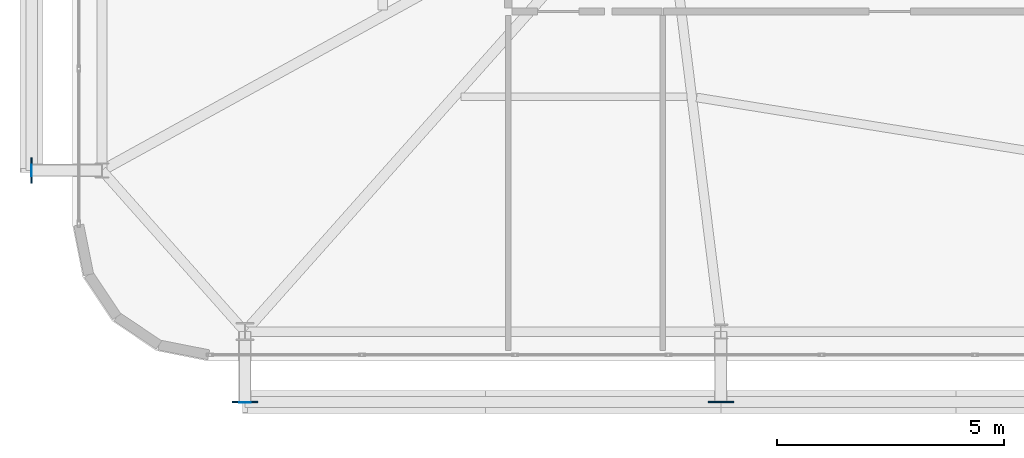
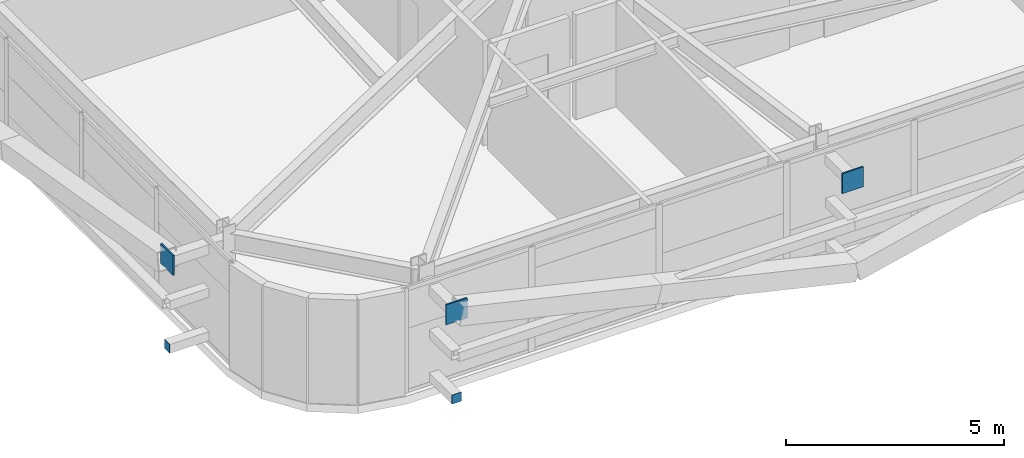
# One storey, part 44 of 59: 5 plates.
"""IFC4 building model written with IfcOpenShell, lengths in metres."""

from ifc_helpers import new_model, si_unit, direction, frame, origin, origin_2d, place, context, subcontext, project, spatial, rectangle, extrude, source, transform, mapped, material, layer, layer_set, type_object, element, save


model = new_model("IFC4")

# Units and contexts
model_context = context("Model", 3, precision=1e-05, world=origin(), true_north=direction((0.0, 1.0)))
body_context = subcontext(model_context, "Body", "Model", "MODEL_VIEW")
ifc_project = project(units=[si_unit("LENGTHUNIT", "METRE"), si_unit("AREAUNIT", "SQUARE_METRE"), si_unit("VOLUMEUNIT", "CUBIC_METRE"), si_unit("PLANEANGLEUNIT", "RADIAN"), si_unit("MASSUNIT", "GRAM", prefix="KILO")], contexts=[model_context])

# Site, building, storey
site_placement = place(None, origin())
site = spatial("IfcSite", under=ifc_project, at=site_placement, CompositionType="ELEMENT")
building_placement = place(site_placement, origin())
building = spatial("IfcBuilding", under=site, at=building_placement, Name="Taldren Reach Tower", CompositionType="ELEMENT")
storey_placement = place(building_placement, frame((0.0, 0.0, 45.14990234375)))
storey = spatial("IfcBuildingStorey", under=building, at=storey_placement, Name="L13", CompositionType="ELEMENT", Elevation=45.14990234375)

# Plates
ifc_material_1 = material(Name="Steel Gr 450 (C450L0)", Category="steel")
ifc_layer_1 = layer(ifc_material_1, 0.0400390625)
ifc_layer_set_1 = layer_set([ifc_layer_1], Name="Steel Gr 450 (C450L0)")
plate_type_1 = type_object("IfcPlateType", Name="PL-GUSSET-40", PredefinedType="SHEET", material=ifc_layer_set_1)
shared_shape_1 = source(origin(), body_context, "Body", "SweptSolid", [
    extrude(rectangle(XDim=0.56005859375, YDim=0.0400390625, at=origin_2d()), origin(), (0.0, 0.0, 1.0), 0.56005859375),
])
for number, where, z_axis, x_axis, name in (
    (1, (8.800048828125, 0.60009765625, 2.3701171875), (0.0, 0.0, 1.0), (1.0, 0.0, 0.0), "Exoskeleton star-node gusset plate B1-S1 L13"),
    (2, (19.280029296875, 0.60009765625, 2.3701171875), (0.0, 0.0, 1.0), (1.0, 0.0, 0.0), "Exoskeleton star-node gusset plate B1-S2 L13"),
    (3, (4.10009765625, 5.699951171875, 2.3701171875), (0.0, 0.0, 1.0), (0.0, 1.0, 0.0), "Exoskeleton star-node gusset plate B1-W1 L13"),
):
    element("IfcPlate", number, at=place(storey_placement, frame(where, z_axis=z_axis, x_axis=x_axis)), inside=storey, type_object=plate_type_1, Name=name, PredefinedType="SHEET", context=body_context, shape_type="MappedRepresentation", body=[
        mapped(shared_shape_1, transform((0.0, 0.0, 0.0), scale=1.0)),
    ])
ifc_material_2 = material(Name="Steel Gr 350 (C350L0)", Category="steel")
ifc_layer_2 = layer(ifc_material_2, 0.011962890625)
ifc_layer_set_2 = layer_set([ifc_layer_2], Name="Steel Gr 350 (C350L0)")
plate_type_2 = type_object("IfcPlateType", Name="PL-CAP-250", PredefinedType="SHEET", material=ifc_layer_set_2)
shared_shape_2 = source(origin(), body_context, "Body", "SweptSolid", [
    extrude(rectangle(XDim=0.25, YDim=0.011962890625, at=origin_2d()), origin(), (0.0, 0.0, 1.0), 0.25),
])
plate_1_placement = place(storey_placement, frame((8.800048828125, 0.593994140625, 0.09521484375), z_axis=(0.0, 0.0, 1.0), x_axis=(1.0, 0.0, 0.0)))
element("IfcPlate", 4, at=plate_1_placement, inside=storey, type_object=plate_type_2, Name="Tie strut end cap plate B1-S1 L13", PredefinedType="SHEET", context=body_context, shape_type="MappedRepresentation", body=[
    mapped(shared_shape_2, transform((0.0, 0.0, 0.0), scale=1.0)),
])
shared_shape_3 = source(origin(), body_context, "Body", "SweptSolid", [
    extrude(rectangle(XDim=0.011962890625, YDim=0.25, at=origin_2d()), origin(), (0.0, 0.0, 1.0), 0.25),
])
plate_2_placement = place(storey_placement, frame((4.093994140625, 5.699951171875, 0.09521484375), z_axis=(0.0, 0.0, 1.0), x_axis=(1.0, 0.0, 0.0)))
element("IfcPlate", 5, at=plate_2_placement, inside=storey, type_object=plate_type_2, Name="Tie strut end cap plate B1-W1 L13", PredefinedType="SHEET", context=body_context, shape_type="MappedRepresentation", body=[
    mapped(shared_shape_3, transform((0.0, 0.0, 0.0), scale=1.0)),
])

save(model, "model.ifc")
